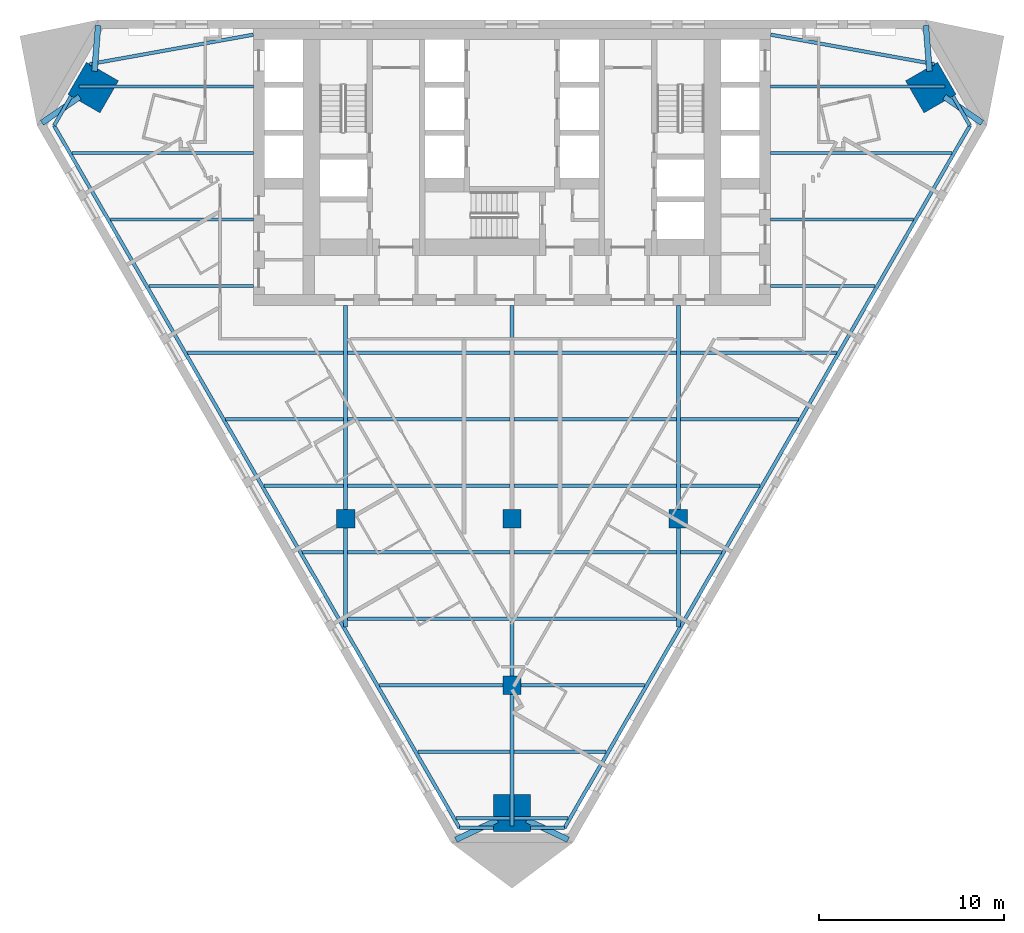
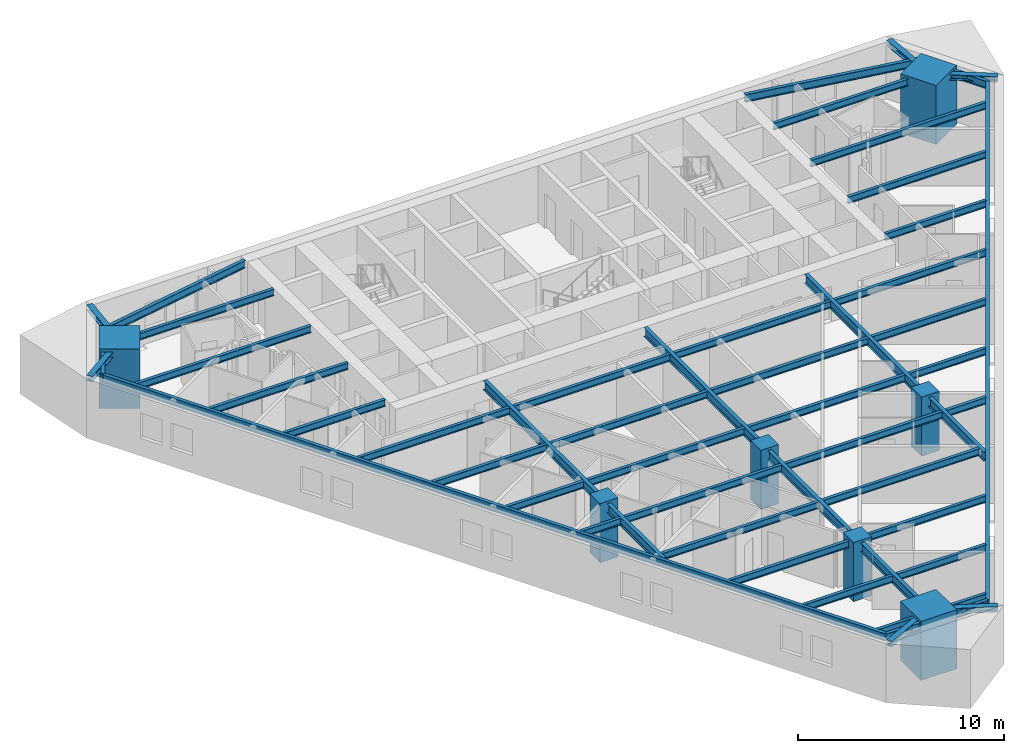
# One storey, part 1 of 10: 53 beams, 7 columns.
"""IFC4 building model written with IfcOpenShell, lengths in metres."""

from ifc_helpers import new_model, si_unit, direction, frame, origin, origin_2d, place, context, subcontext, project, spatial, rectangle, i_section, extrude, material, material_profile, profile_set, type_object, element, save


model = new_model("IFC4")

# Units and contexts
model_context = context("Model", 3, precision=1e-05, world=origin(), true_north=direction((0.0, 1.0)))
body_context = subcontext(model_context, "Body", "Model", "MODEL_VIEW")
ifc_project = project(units=[si_unit("LENGTHUNIT", "METRE"), si_unit("AREAUNIT", "SQUARE_METRE"), si_unit("VOLUMEUNIT", "CUBIC_METRE"), si_unit("PLANEANGLEUNIT", "RADIAN"), si_unit("MASSUNIT", "GRAM", prefix="KILO")], contexts=[model_context])

# Site, building, storey
site_placement = place(None, origin())
site = spatial("IfcSite", under=ifc_project, at=site_placement, CompositionType="ELEMENT")
building_placement = place(site_placement, origin())
building = spatial("IfcBuilding", under=site, at=building_placement, Name="Aloe Facet Convention Tower", CompositionType="ELEMENT")
storey_placement = place(building_placement, frame((0.0, 0.0, 59.5)))
storey = spatial("IfcBuildingStorey", under=building, at=storey_placement, Name="L13", CompositionType="ELEMENT", Elevation=59.5)

# Columns
ifc_material_1 = material(Name="Concrete C70/85", Category="concrete")
ifc_material_profile_1 = material_profile(ifc_material_1, rectangle(XDim=1.0, YDim=1.0, at=origin_2d()), Name="SF-GC-Z1")
ifc_profile_set_1 = profile_set([ifc_material_profile_1], Name="Concrete C70/85")
column_type_1 = type_object("IfcColumnType", Name="SF-GC-Z1", PredefinedType="COLUMN", material=ifc_profile_set_1)
for number, where, z_axis, x_axis, name in (
    (1, (71.0, 108.0, 0.0), (0.0, 0.0, 1.0), (1.0, 0.0, 0.0), "Gravity column GC-Z1-8D"),
    (2, (80.0, 99.0, 0.0), (0.0, 0.0, 1.0), (1.0, 0.0, 0.0), "Gravity column GC-Z1-9E"),
    (3, (80.0, 108.0, 0.0), (0.0, 0.0, 1.0), (1.0, 0.0, 0.0), "Gravity column GC-Z1-9D"),
    (4, (89.0, 108.0, 0.0), (0.0, 0.0, 1.0), (1.0, 0.0, 0.0), "Gravity column GC-Z1-10D"),
):
    element("IfcColumn", number, at=place(storey_placement, frame(where, z_axis=z_axis, x_axis=x_axis)), inside=storey, type_object=column_type_1, Name=name, PredefinedType="COLUMN", context=body_context, shape_type="SweptSolid", body=[
        extrude(rectangle(XDim=1.0, YDim=1.0, at=origin_2d()), origin(), (0.0, 0.0, 1.0), 3.5),
    ])
ifc_material_2 = material(Name="Concrete C80/95", Category="concrete")
ifc_material_profile_2 = material_profile(ifc_material_2, rectangle(XDim=2.0, YDim=2.0, at=origin_2d()), Name="STW-MC-Z1")
ifc_profile_set_2 = profile_set([ifc_material_profile_2], Name="Concrete C80/95")
column_type_2 = type_object("IfcColumnType", Name="STW-MC-Z1", PredefinedType="COLUMN", material=ifc_profile_set_2)
for number, where, z_axis, x_axis, name in (
    (5, (102.664306640625, 131.342041015625, 0.0), (0.0, 0.0, 1.0), (-0.5, 0.866025403784, 0.0), "Mega-column MC-NE-L13"),
    (6, (57.335693359375, 131.342041015625, 0.0), (0.0, 0.0, 1.0), (-0.5, -0.866025403784, 0.0), "Mega-column MC-NW-L13"),
    (7, (80.0, 92.086181640625, 0.0), (0.0, 0.0, 1.0), (1.0, 0.0, 0.0), "Mega-column MC-S-L13"),
):
    element("IfcColumn", number, at=place(storey_placement, frame(where, z_axis=z_axis, x_axis=x_axis)), inside=storey, type_object=column_type_2, Name=name, PredefinedType="COLUMN", context=body_context, shape_type="SweptSolid", body=[
        extrude(rectangle(XDim=2.0, YDim=2.0, at=origin_2d()), origin(), (0.0, 0.0, 1.0), 3.5),
    ])

# Beams
ifc_material_3 = material(Name="Steel S355", Category="steel")
ifc_material_profile_3 = material_profile(ifc_material_3, i_section(OverallWidth=0.177734375, OverallDepth=0.402587890625, WebThickness=0.0078125, FlangeThickness=0.010986328125, FilletRadius=0.01025390625, at=origin_2d()), Name="UB 406x178x54")
ifc_profile_set_3 = profile_set([ifc_material_profile_3], Name="Steel S355")
beam_type_1 = type_object("IfcBeamType", Name="SF-B-UB406x178x54", PredefinedType="BEAM", material=ifc_profile_set_3)
beam_1_placement = place(storey_placement, frame((56.194580078125, 127.800048828125, 3.148681640625), z_axis=(1.0, 0.0, 0.0), x_axis=(0.0, 1.0, 0.0)))
element("IfcBeam", 8, at=beam_1_placement, inside=storey, type_object=beam_type_1, Name="Floor beam FB-Z1B-016", PredefinedType="BEAM", context=body_context, shape_type="SweptSolid", body=[
    extrude(i_section(OverallWidth=0.177734375, OverallDepth=0.402587890625, WebThickness=0.0078125, FlangeThickness=0.010986328125, FilletRadius=0.01025390625, at=origin_2d()), origin(), (0.0, 0.0, 1.0), 9.805419921875),
])
beam_2_placement = place(storey_placement, frame((56.55908203125, 131.39990234375, 3.148681640625), z_axis=(1.0, 0.0, 0.0), x_axis=(0.0, 1.0, 0.0)))
element("IfcBeam", 9, at=beam_2_placement, inside=storey, type_object=beam_type_1, Name="Floor beam FB-Z1B-017", PredefinedType="BEAM", context=body_context, shape_type="SweptSolid", body=[
    extrude(i_section(OverallWidth=0.177734375, OverallDepth=0.402587890625, WebThickness=0.0078125, FlangeThickness=0.010986328125, FilletRadius=0.01025390625, at=origin_2d()), origin(), (0.0, 0.0, 1.0), 9.44091796875),
])
beam_3_placement = place(storey_placement, frame((58.27294921875, 124.199951171875, 3.148681640625), z_axis=(1.0, 0.0, 0.0), x_axis=(0.0, 1.0, 0.0)))
element("IfcBeam", 10, at=beam_3_placement, inside=storey, type_object=beam_type_1, Name="Floor beam FB-Z1B-018", PredefinedType="BEAM", context=body_context, shape_type="SweptSolid", body=[
    extrude(i_section(OverallWidth=0.177734375, OverallDepth=0.402587890625, WebThickness=0.0078125, FlangeThickness=0.010986328125, FilletRadius=0.01025390625, at=origin_2d()), origin(), (0.0, 0.0, 1.0), 7.72705078125),
])
beam_4_placement = place(storey_placement, frame((60.351318359375, 120.60009765625, 3.148681640625), z_axis=(1.0, 0.0, 0.0), x_axis=(0.0, 1.0, 0.0)))
element("IfcBeam", 11, at=beam_4_placement, inside=storey, type_object=beam_type_1, Name="Floor beam FB-Z1B-019", PredefinedType="BEAM", context=body_context, shape_type="SweptSolid", body=[
    extrude(i_section(OverallWidth=0.177734375, OverallDepth=0.402587890625, WebThickness=0.0078125, FlangeThickness=0.010986328125, FilletRadius=0.01025390625, at=origin_2d()), origin(), (0.0, 0.0, 1.0), 5.648681640625),
])
beam_5_placement = place(storey_placement, frame((62.429931640625, 117.0, 3.148681640625), z_axis=(1.0, 0.0, 0.0), x_axis=(0.0, 1.0, 0.0)))
element("IfcBeam", 12, at=beam_5_placement, inside=storey, type_object=beam_type_1, Name="Floor beam FB-Z1B-020", PredefinedType="BEAM", context=body_context, shape_type="SweptSolid", body=[
    extrude(i_section(OverallWidth=0.177734375, OverallDepth=0.402587890625, WebThickness=0.0078125, FlangeThickness=0.010986328125, FilletRadius=0.01025390625, at=origin_2d()), origin(), (0.0, 0.0, 1.0), 8.464599609375),
])
beam_6_placement = place(storey_placement, frame((64.50830078125, 113.39990234375, 3.148681640625), z_axis=(1.0, 0.0, 0.0), x_axis=(0.0, 1.0, 0.0)))
element("IfcBeam", 13, at=beam_6_placement, inside=storey, type_object=beam_type_1, Name="Floor beam FB-Z1B-021", PredefinedType="BEAM", context=body_context, shape_type="SweptSolid", body=[
    extrude(i_section(OverallWidth=0.177734375, OverallDepth=0.402587890625, WebThickness=0.0078125, FlangeThickness=0.010986328125, FilletRadius=0.01025390625, at=origin_2d()), origin(), (0.0, 0.0, 1.0), 6.38623046875),
])
beam_7_placement = place(storey_placement, frame((66.5869140625, 109.800048828125, 3.148681640625), z_axis=(1.0, 0.0, 0.0), x_axis=(0.0, 1.0, 0.0)))
element("IfcBeam", 14, at=beam_7_placement, inside=storey, type_object=beam_type_1, Name="Floor beam FB-Z1B-022", PredefinedType="BEAM", context=body_context, shape_type="SweptSolid", body=[
    extrude(i_section(OverallWidth=0.177734375, OverallDepth=0.402587890625, WebThickness=0.0078125, FlangeThickness=0.010986328125, FilletRadius=0.01025390625, at=origin_2d()), origin(), (0.0, 0.0, 1.0), 4.3076171875),
])
beam_8_placement = place(storey_placement, frame((68.665283203125, 106.199951171875, 3.148681640625), z_axis=(1.0, 0.0, 0.0), x_axis=(0.0, 1.0, 0.0)))
element("IfcBeam", 15, at=beam_8_placement, inside=storey, type_object=beam_type_1, Name="Floor beam FB-Z1B-023", PredefinedType="BEAM", context=body_context, shape_type="SweptSolid", body=[
    extrude(i_section(OverallWidth=0.177734375, OverallDepth=0.402587890625, WebThickness=0.0078125, FlangeThickness=0.010986328125, FilletRadius=0.01025390625, at=origin_2d()), origin(), (0.0, 0.0, 1.0), 2.229248046875),
])
for number, where, z_axis, x_axis, name in (
    (16, (71.10546875, 102.60009765625, 3.148681640625), (1.0, 0.0, 0.0), (0.0, 1.0, 0.0), "Floor beam FB-Z1B-024"),
    (17, (71.10546875, 106.199951171875, 3.148681640625), (1.0, 0.0, 0.0), (0.0, 1.0, 0.0), "Floor beam FB-Z1B-025"),
    (18, (71.10546875, 109.800048828125, 3.148681640625), (1.0, 0.0, 0.0), (0.0, 1.0, 0.0), "Floor beam FB-Z1B-026"),
    (19, (71.10546875, 113.39990234375, 3.148681640625), (1.0, 0.0, 0.0), (0.0, 1.0, 0.0), "Floor beam FB-Z1B-027"),
    (20, (71.10546875, 117.0, 3.148681640625), (1.0, 0.0, 0.0), (0.0, 1.0, 0.0), "Floor beam FB-Z1B-028"),
):
    element("IfcBeam", number, at=place(storey_placement, frame(where, z_axis=z_axis, x_axis=x_axis)), inside=storey, type_object=beam_type_1, Name=name, PredefinedType="BEAM", context=body_context, shape_type="SweptSolid", body=[
        extrude(i_section(OverallWidth=0.177734375, OverallDepth=0.402587890625, WebThickness=0.0078125, FlangeThickness=0.010986328125, FilletRadius=0.01025390625, at=origin_2d()), origin(), (0.0, 0.0, 1.0), 8.7890625),
    ])
beam_9_placement = place(storey_placement, frame((72.822265625, 99.0, 3.148681640625), z_axis=(1.0, 0.0, 0.0), x_axis=(0.0, 1.0, 0.0)))
element("IfcBeam", 21, at=beam_9_placement, inside=storey, type_object=beam_type_1, Name="Floor beam FB-Z1B-029", PredefinedType="BEAM", context=body_context, shape_type="SweptSolid", body=[
    extrude(i_section(OverallWidth=0.177734375, OverallDepth=0.402587890625, WebThickness=0.0078125, FlangeThickness=0.010986328125, FilletRadius=0.01025390625, at=origin_2d()), origin(), (0.0, 0.0, 1.0), 6.677734375),
])
beam_10_placement = place(storey_placement, frame((74.900634765625, 95.39990234375, 3.148681640625), z_axis=(1.0, 0.0, 0.0), x_axis=(0.0, 1.0, 0.0)))
element("IfcBeam", 22, at=beam_10_placement, inside=storey, type_object=beam_type_1, Name="Floor beam FB-Z1B-030", PredefinedType="BEAM", context=body_context, shape_type="SweptSolid", body=[
    extrude(i_section(OverallWidth=0.177734375, OverallDepth=0.402587890625, WebThickness=0.0078125, FlangeThickness=0.010986328125, FilletRadius=0.01025390625, at=origin_2d()), origin(), (0.0, 0.0, 1.0), 4.993896484375),
])
for number, where, z_axis, x_axis, name in (
    (23, (76.97900390625, 91.800048828125, 3.148681640625), (1.0, 0.0, 0.0), (0.0, 1.0, 0.0), "Floor beam FB-Z1B-031"),
    (24, (80.10546875, 91.800048828125, 3.148681640625), (1.0, 0.0, 0.0), (0.0, 1.0, 0.0), "Floor beam FB-Z1B-032"),
):
    element("IfcBeam", number, at=place(storey_placement, frame(where, z_axis=z_axis, x_axis=x_axis)), inside=storey, type_object=beam_type_1, Name=name, PredefinedType="BEAM", context=body_context, shape_type="SweptSolid", body=[
        extrude(i_section(OverallWidth=0.177734375, OverallDepth=0.402587890625, WebThickness=0.0078125, FlangeThickness=0.010986328125, FilletRadius=0.01025390625, at=origin_2d()), origin(), (0.0, 0.0, 1.0), 2.91552734375),
    ])
beam_11_placement = place(storey_placement, frame((80.10546875, 95.39990234375, 3.148681640625), z_axis=(1.0, 0.0, 0.0), x_axis=(0.0, 1.0, 0.0)))
element("IfcBeam", 25, at=beam_11_placement, inside=storey, type_object=beam_type_1, Name="Floor beam FB-Z1B-033", PredefinedType="BEAM", context=body_context, shape_type="SweptSolid", body=[
    extrude(i_section(OverallWidth=0.177734375, OverallDepth=0.402587890625, WebThickness=0.0078125, FlangeThickness=0.010986328125, FilletRadius=0.01025390625, at=origin_2d()), origin(), (0.0, 0.0, 1.0), 4.993896484375),
])
for number, where, z_axis, x_axis, name in (
    (26, (80.10546875, 102.60009765625, 3.148681640625), (1.0, 0.0, 0.0), (0.0, 1.0, 0.0), "Floor beam FB-Z1B-034"),
    (27, (80.10546875, 106.199951171875, 3.148681640625), (1.0, 0.0, 0.0), (0.0, 1.0, 0.0), "Floor beam FB-Z1B-035"),
    (28, (80.10546875, 109.800048828125, 3.148681640625), (1.0, 0.0, 0.0), (0.0, 1.0, 0.0), "Floor beam FB-Z1B-036"),
    (29, (80.10546875, 113.39990234375, 3.148681640625), (1.0, 0.0, 0.0), (0.0, 1.0, 0.0), "Floor beam FB-Z1B-037"),
    (30, (80.10546875, 117.0, 3.148681640625), (1.0, 0.0, 0.0), (0.0, 1.0, 0.0), "Floor beam FB-Z1B-038"),
):
    element("IfcBeam", number, at=place(storey_placement, frame(where, z_axis=z_axis, x_axis=x_axis)), inside=storey, type_object=beam_type_1, Name=name, PredefinedType="BEAM", context=body_context, shape_type="SweptSolid", body=[
        extrude(i_section(OverallWidth=0.177734375, OverallDepth=0.402587890625, WebThickness=0.0078125, FlangeThickness=0.010986328125, FilletRadius=0.01025390625, at=origin_2d()), origin(), (0.0, 0.0, 1.0), 8.7890625),
    ])
beam_12_placement = place(storey_placement, frame((80.5, 99.0, 3.148681640625), z_axis=(1.0, 0.0, 0.0), x_axis=(0.0, 1.0, 0.0)))
element("IfcBeam", 31, at=beam_12_placement, inside=storey, type_object=beam_type_1, Name="Floor beam FB-Z1B-039", PredefinedType="BEAM", context=body_context, shape_type="SweptSolid", body=[
    extrude(i_section(OverallWidth=0.177734375, OverallDepth=0.402587890625, WebThickness=0.0078125, FlangeThickness=0.010986328125, FilletRadius=0.01025390625, at=origin_2d()), origin(), (0.0, 0.0, 1.0), 6.677734375),
])
beam_13_placement = place(storey_placement, frame((89.10546875, 106.199951171875, 3.148681640625), z_axis=(1.0, 0.0, 0.0), x_axis=(0.0, 1.0, 0.0)))
element("IfcBeam", 32, at=beam_13_placement, inside=storey, type_object=beam_type_1, Name="Floor beam FB-Z1B-040", PredefinedType="BEAM", context=body_context, shape_type="SweptSolid", body=[
    extrude(i_section(OverallWidth=0.177734375, OverallDepth=0.402587890625, WebThickness=0.0078125, FlangeThickness=0.010986328125, FilletRadius=0.01025390625, at=origin_2d()), origin(), (0.0, 0.0, 1.0), 2.229248046875),
])
beam_14_placement = place(storey_placement, frame((89.10546875, 109.800048828125, 3.148681640625), z_axis=(1.0, 0.0, 0.0), x_axis=(0.0, 1.0, 0.0)))
element("IfcBeam", 33, at=beam_14_placement, inside=storey, type_object=beam_type_1, Name="Floor beam FB-Z1B-041", PredefinedType="BEAM", context=body_context, shape_type="SweptSolid", body=[
    extrude(i_section(OverallWidth=0.177734375, OverallDepth=0.402587890625, WebThickness=0.0078125, FlangeThickness=0.010986328125, FilletRadius=0.01025390625, at=origin_2d()), origin(), (0.0, 0.0, 1.0), 4.3076171875),
])
beam_15_placement = place(storey_placement, frame((89.10546875, 113.39990234375, 3.148681640625), z_axis=(1.0, 0.0, 0.0), x_axis=(0.0, 1.0, 0.0)))
element("IfcBeam", 34, at=beam_15_placement, inside=storey, type_object=beam_type_1, Name="Floor beam FB-Z1B-042", PredefinedType="BEAM", context=body_context, shape_type="SweptSolid", body=[
    extrude(i_section(OverallWidth=0.177734375, OverallDepth=0.402587890625, WebThickness=0.0078125, FlangeThickness=0.010986328125, FilletRadius=0.01025390625, at=origin_2d()), origin(), (0.0, 0.0, 1.0), 6.38623046875),
])
beam_16_placement = place(storey_placement, frame((89.10546875, 117.0, 3.148681640625), z_axis=(1.0, 0.0, 0.0), x_axis=(0.0, 1.0, 0.0)))
element("IfcBeam", 35, at=beam_16_placement, inside=storey, type_object=beam_type_1, Name="Floor beam FB-Z1B-043", PredefinedType="BEAM", context=body_context, shape_type="SweptSolid", body=[
    extrude(i_section(OverallWidth=0.177734375, OverallDepth=0.402587890625, WebThickness=0.0078125, FlangeThickness=0.010986328125, FilletRadius=0.01025390625, at=origin_2d()), origin(), (0.0, 0.0, 1.0), 8.464599609375),
])
beam_17_placement = place(storey_placement, frame((94.0, 120.60009765625, 3.148681640625), z_axis=(1.0, 0.0, 0.0), x_axis=(0.0, 1.0, 0.0)))
element("IfcBeam", 36, at=beam_17_placement, inside=storey, type_object=beam_type_1, Name="Floor beam FB-Z1B-044", PredefinedType="BEAM", context=body_context, shape_type="SweptSolid", body=[
    extrude(i_section(OverallWidth=0.177734375, OverallDepth=0.402587890625, WebThickness=0.0078125, FlangeThickness=0.010986328125, FilletRadius=0.01025390625, at=origin_2d()), origin(), (0.0, 0.0, 1.0), 5.648681640625),
])
beam_18_placement = place(storey_placement, frame((94.0, 124.199951171875, 3.148681640625), z_axis=(1.0, 0.0, 0.0), x_axis=(0.0, 1.0, 0.0)))
element("IfcBeam", 37, at=beam_18_placement, inside=storey, type_object=beam_type_1, Name="Floor beam FB-Z1B-045", PredefinedType="BEAM", context=body_context, shape_type="SweptSolid", body=[
    extrude(i_section(OverallWidth=0.177734375, OverallDepth=0.402587890625, WebThickness=0.0078125, FlangeThickness=0.010986328125, FilletRadius=0.01025390625, at=origin_2d()), origin(), (0.0, 0.0, 1.0), 7.72705078125),
])
beam_19_placement = place(storey_placement, frame((94.0, 127.800048828125, 3.148681640625), z_axis=(1.0, 0.0, 0.0), x_axis=(0.0, 1.0, 0.0)))
element("IfcBeam", 38, at=beam_19_placement, inside=storey, type_object=beam_type_1, Name="Floor beam FB-Z1B-046", PredefinedType="BEAM", context=body_context, shape_type="SweptSolid", body=[
    extrude(i_section(OverallWidth=0.177734375, OverallDepth=0.402587890625, WebThickness=0.0078125, FlangeThickness=0.010986328125, FilletRadius=0.01025390625, at=origin_2d()), origin(), (0.0, 0.0, 1.0), 9.805419921875),
])
beam_20_placement = place(storey_placement, frame((94.0, 131.39990234375, 3.148681640625), z_axis=(1.0, 0.0, 0.0), x_axis=(0.0, 1.0, 0.0)))
element("IfcBeam", 39, at=beam_20_placement, inside=storey, type_object=beam_type_1, Name="Floor beam FB-Z1B-047", PredefinedType="BEAM", context=body_context, shape_type="SweptSolid", body=[
    extrude(i_section(OverallWidth=0.177734375, OverallDepth=0.402587890625, WebThickness=0.0078125, FlangeThickness=0.010986328125, FilletRadius=0.01025390625, at=origin_2d()), origin(), (0.0, 0.0, 1.0), 9.44091796875),
])
ifc_material_4 = material(Name="Steel S355", Category="steel")
ifc_material_profile_4 = material_profile(ifc_material_4, i_section(OverallWidth=0.18994140625, OverallDepth=0.453369140625, WebThickness=0.008544921875, FlangeThickness=0.0126953125, FilletRadius=0.01025390625, at=origin_2d()), Name="UB 457x191x67")
ifc_profile_set_4 = profile_set([ifc_material_profile_4], Name="Steel S355")
beam_type_2 = type_object("IfcBeamType", Name="SF-B-UB457x191x67", PredefinedType="BEAM", material=ifc_profile_set_4)
beam_21_placement = place(storey_placement, frame((55.218017578125, 129.2841796875, 3.123291015625), z_axis=(0.499932904579, 0.866064137879, 0.0), x_axis=(-0.866064137879, 0.499932904579, 0.0)))
element("IfcBeam", 40, at=beam_21_placement, inside=storey, type_object=beam_type_2, Name="Floor beam FB-Z1B-001", PredefinedType="BEAM", context=body_context, shape_type="SweptSolid", body=[
    extrude(i_section(OverallWidth=0.18994140625, OverallDepth=0.453369140625, WebThickness=0.008544921875, FlangeThickness=0.0126953125, FilletRadius=0.01025390625, at=origin_2d()), origin(), (0.0, 0.0, 1.0), 1.841064453125),
])
beam_22_placement = place(storey_placement, frame((57.138427734375, 132.610595703125, 3.123291015625), z_axis=(0.984194951593, 0.177088388265, 0.0), x_axis=(-0.177088388265, 0.984194951593, 0.0)))
element("IfcBeam", 41, at=beam_22_placement, inside=storey, type_object=beam_type_2, Name="Floor beam FB-Z1B-002", PredefinedType="BEAM", context=body_context, shape_type="SweptSolid", body=[
    extrude(i_section(OverallWidth=0.18994140625, OverallDepth=0.453369140625, WebThickness=0.008544921875, FlangeThickness=0.0126953125, FilletRadius=0.01025390625, at=origin_2d()), origin(), (0.0, 0.0, 1.0), 9.00390625),
])
beam_23_placement = place(storey_placement, frame((77.158935546875, 91.28125, 3.123291015625), z_axis=(-0.499998569178, 0.866026229868, 0.0), x_axis=(-0.866026229868, -0.499998569178, 0.0)))
element("IfcBeam", 42, at=beam_23_placement, inside=storey, type_object=beam_type_2, Name="Floor beam FB-Z1B-003", PredefinedType="BEAM", context=body_context, shape_type="SweptSolid", body=[
    extrude(i_section(OverallWidth=0.18994140625, OverallDepth=0.453369140625, WebThickness=0.008544921875, FlangeThickness=0.0126953125, FilletRadius=0.01025390625, at=origin_2d()), origin(), (0.0, 0.0, 1.0), 43.882080078125),
])
for number, where, z_axis, x_axis, name in (
    (43, (79.0, 91.28125, 3.123291015625), (-1.0, 0.0, 0.0), (0.0, -1.0, 0.0), "Floor beam FB-Z1B-004"),
    (44, (82.841064453125, 91.28125, 3.123291015625), (-1.0, 0.0, 0.0), (0.0, -1.0, 0.0), "Floor beam FB-Z1B-005"),
):
    element("IfcBeam", number, at=place(storey_placement, frame(where, z_axis=z_axis, x_axis=x_axis)), inside=storey, type_object=beam_type_2, Name=name, PredefinedType="BEAM", context=body_context, shape_type="SweptSolid", body=[
        extrude(i_section(OverallWidth=0.18994140625, OverallDepth=0.453369140625, WebThickness=0.008544921875, FlangeThickness=0.0126953125, FilletRadius=0.01025390625, at=origin_2d()), origin(), (0.0, 0.0, 1.0), 1.841064453125),
    ])
beam_24_placement = place(storey_placement, frame((102.861572265625, 132.610595703125, 3.123291015625), z_axis=(-0.984194951593, 0.177088388265, 0.0), x_axis=(-0.177088388265, -0.984194951593, 0.0)))
element("IfcBeam", 45, at=beam_24_placement, inside=storey, type_object=beam_type_2, Name="Floor beam FB-Z1B-006", PredefinedType="BEAM", context=body_context, shape_type="SweptSolid", body=[
    extrude(i_section(OverallWidth=0.18994140625, OverallDepth=0.453369140625, WebThickness=0.008544921875, FlangeThickness=0.0126953125, FilletRadius=0.01025390625, at=origin_2d()), origin(), (0.0, 0.0, 1.0), 9.00390625),
])
beam_25_placement = place(storey_placement, frame((103.861572265625, 130.878662109375, 3.123291015625), z_axis=(0.499932904579, -0.866064137879, 0.0), x_axis=(0.866064137879, 0.499932904579, 0.0)))
element("IfcBeam", 46, at=beam_25_placement, inside=storey, type_object=beam_type_2, Name="Floor beam FB-Z1B-007", PredefinedType="BEAM", context=body_context, shape_type="SweptSolid", body=[
    extrude(i_section(OverallWidth=0.18994140625, OverallDepth=0.453369140625, WebThickness=0.008544921875, FlangeThickness=0.0126953125, FilletRadius=0.01025390625, at=origin_2d()), origin(), (0.0, 0.0, 1.0), 1.841064453125),
])
beam_26_placement = place(storey_placement, frame((104.781982421875, 129.2841796875, 3.123291015625), z_axis=(-0.499998569178, -0.866026229868, 0.0), x_axis=(0.866026229868, -0.499998569178, 0.0)))
element("IfcBeam", 47, at=beam_26_placement, inside=storey, type_object=beam_type_2, Name="Floor beam FB-Z1B-008", PredefinedType="BEAM", context=body_context, shape_type="SweptSolid", body=[
    extrude(i_section(OverallWidth=0.18994140625, OverallDepth=0.453369140625, WebThickness=0.008544921875, FlangeThickness=0.0126953125, FilletRadius=0.01025390625, at=origin_2d()), origin(), (0.0, 0.0, 1.0), 43.882080078125),
])
ifc_material_5 = material(Name="Steel S355", Category="steel")
ifc_material_profile_5 = material_profile(ifc_material_5, i_section(OverallWidth=0.210693359375, OverallDepth=0.53955078125, WebThickness=0.01171875, FlangeThickness=0.018798828125, FilletRadius=0.0126953125, at=origin_2d()), Name="UB 533x210x109")
ifc_profile_set_5 = profile_set([ifc_material_profile_5], Name="Steel S355")
beam_type_3 = type_object("IfcBeamType", Name="SF-B-UB533x210x109", PredefinedType="BEAM", material=ifc_profile_set_5)
beam_27_placement = place(storey_placement, frame((71.0, 107.5, 3.080078125), z_axis=(0.0, -1.0, 0.0), x_axis=(1.0, 0.0, 0.0)))
element("IfcBeam", 48, at=beam_27_placement, inside=storey, type_object=beam_type_3, Name="Floor beam FB-Z1B-009", PredefinedType="BEAM", context=body_context, shape_type="SweptSolid", body=[
    extrude(i_section(OverallWidth=0.210693359375, OverallDepth=0.53955078125, WebThickness=0.01171875, FlangeThickness=0.018798828125, FilletRadius=0.0126953125, at=origin_2d()), origin(), (0.0, 0.0, 1.0), 5.351318359375),
])
beam_28_placement = place(storey_placement, frame((71.0, 119.550048828125, 3.080078125), z_axis=(0.0, -1.0, 0.0), x_axis=(1.0, 0.0, 0.0)))
element("IfcBeam", 49, at=beam_28_placement, inside=storey, type_object=beam_type_3, Name="Floor beam FB-Z1B-010", PredefinedType="BEAM", context=body_context, shape_type="SweptSolid", body=[
    extrude(i_section(OverallWidth=0.210693359375, OverallDepth=0.53955078125, WebThickness=0.01171875, FlangeThickness=0.018798828125, FilletRadius=0.0126953125, at=origin_2d()), origin(), (0.0, 0.0, 1.0), 11.050048828125),
])
beam_29_placement = place(storey_placement, frame((80.0, 98.5, 3.080078125), z_axis=(0.0, -1.0, 0.0), x_axis=(1.0, 0.0, 0.0)))
element("IfcBeam", 50, at=beam_29_placement, inside=storey, type_object=beam_type_3, Name="Floor beam FB-Z1B-011", PredefinedType="BEAM", context=body_context, shape_type="SweptSolid", body=[
    extrude(i_section(OverallWidth=0.210693359375, OverallDepth=0.53955078125, WebThickness=0.01171875, FlangeThickness=0.018798828125, FilletRadius=0.0126953125, at=origin_2d()), origin(), (0.0, 0.0, 1.0), 7.11376953125),
])
beam_30_placement = place(storey_placement, frame((80.0, 107.5, 3.080078125), z_axis=(0.0, -1.0, 0.0), x_axis=(1.0, 0.0, 0.0)))
element("IfcBeam", 51, at=beam_30_placement, inside=storey, type_object=beam_type_3, Name="Floor beam FB-Z1B-012", PredefinedType="BEAM", context=body_context, shape_type="SweptSolid", body=[
    extrude(i_section(OverallWidth=0.210693359375, OverallDepth=0.53955078125, WebThickness=0.01171875, FlangeThickness=0.018798828125, FilletRadius=0.0126953125, at=origin_2d()), origin(), (0.0, 0.0, 1.0), 8.0),
])
beam_31_placement = place(storey_placement, frame((80.0, 119.550048828125, 3.080078125), z_axis=(0.0, -1.0, 0.0), x_axis=(1.0, 0.0, 0.0)))
element("IfcBeam", 52, at=beam_31_placement, inside=storey, type_object=beam_type_3, Name="Floor beam FB-Z1B-013", PredefinedType="BEAM", context=body_context, shape_type="SweptSolid", body=[
    extrude(i_section(OverallWidth=0.210693359375, OverallDepth=0.53955078125, WebThickness=0.01171875, FlangeThickness=0.018798828125, FilletRadius=0.0126953125, at=origin_2d()), origin(), (0.0, 0.0, 1.0), 11.050048828125),
])
beam_32_placement = place(storey_placement, frame((89.0, 107.5, 3.080078125), z_axis=(0.0, -1.0, 0.0), x_axis=(1.0, 0.0, 0.0)))
element("IfcBeam", 53, at=beam_32_placement, inside=storey, type_object=beam_type_3, Name="Floor beam FB-Z1B-014", PredefinedType="BEAM", context=body_context, shape_type="SweptSolid", body=[
    extrude(i_section(OverallWidth=0.210693359375, OverallDepth=0.53955078125, WebThickness=0.01171875, FlangeThickness=0.018798828125, FilletRadius=0.0126953125, at=origin_2d()), origin(), (0.0, 0.0, 1.0), 5.351318359375),
])
beam_33_placement = place(storey_placement, frame((89.0, 119.550048828125, 3.080078125), z_axis=(0.0, -1.0, 0.0), x_axis=(1.0, 0.0, 0.0)))
element("IfcBeam", 54, at=beam_33_placement, inside=storey, type_object=beam_type_3, Name="Floor beam FB-Z1B-015", PredefinedType="BEAM", context=body_context, shape_type="SweptSolid", body=[
    extrude(i_section(OverallWidth=0.210693359375, OverallDepth=0.53955078125, WebThickness=0.01171875, FlangeThickness=0.018798828125, FilletRadius=0.0126953125, at=origin_2d()), origin(), (0.0, 0.0, 1.0), 11.050048828125),
])
ifc_material_6 = material(Name="Steel S355", Category="steel")
ifc_material_profile_6 = material_profile(ifc_material_6, i_section(OverallWidth=0.311279296875, OverallDepth=0.3271484375, WebThickness=0.015869140625, FlangeThickness=0.02490234375, FilletRadius=0.01513671875, at=origin_2d()), Name="UC 305x305x158")
ifc_profile_set_6 = profile_set([ifc_material_profile_6], Name="Steel S355")
beam_type_4 = type_object("IfcBeamType", Name="STW-NT", PredefinedType="BEAM", material=ifc_profile_set_6)
for number, where, z_axis, x_axis, name in (
    (55, (102.39990234375, 134.699951171875, 3.1865234375), (0.078501810629, -0.996913971077, 0.0), (0.996913971077, 0.078501810629, 0.0), "Lattice tie NT-Z1-F1-R4-01"),
    (56, (57.60009765625, 134.699951171875, 3.1865234375), (-0.078501810629, -0.996913971077, 0.0), (0.996913971077, -0.078501810629, 0.0), "Lattice tie NT-Z1-F1-R4-06"),
):
    element("IfcBeam", number, at=place(storey_placement, frame(where, z_axis=z_axis, x_axis=x_axis)), inside=storey, type_object=beam_type_4, Name=name, PredefinedType="BEAM", context=body_context, shape_type="SweptSolid", body=[
        extrude(i_section(OverallWidth=0.311279296875, OverallDepth=0.3271484375, WebThickness=0.015869140625, FlangeThickness=0.02490234375, FilletRadius=0.01513671875, at=origin_2d()), origin(), (0.0, 0.0, 1.0), 2.481689453125),
    ])
for number, where, z_axis, x_axis, name in (
    (57, (54.559814453125, 129.434326171875, 3.1865234375), (0.824128019393, 0.566403573128, 0.0), (-0.566403573128, 0.824128019393, 0.0), "Lattice tie NT-Z1-F2-R4-01"),
    (58, (76.959716796875, 90.63623046875, 3.1865234375), (0.902574868397, 0.430532933628, 0.0), (-0.430532933628, 0.902574868397, 0.0), "Lattice tie NT-Z1-F2-R4-06"),
    (59, (83.040283203125, 90.63623046875, 3.1865234375), (-0.902574868397, 0.430532933628, 0.0), (-0.430532933628, -0.902574868397, 0.0), "Lattice tie NT-Z1-F3-R4-01"),
    (60, (105.440185546875, 129.434326171875, 3.1865234375), (-0.824128019393, 0.566403573128, 0.0), (-0.566403573128, -0.824128019393, 0.0), "Lattice tie NT-Z1-F3-R4-06"),
):
    element("IfcBeam", number, at=place(storey_placement, frame(where, z_axis=z_axis, x_axis=x_axis)), inside=storey, type_object=beam_type_4, Name=name, PredefinedType="BEAM", context=body_context, shape_type="SweptSolid", body=[
        extrude(i_section(OverallWidth=0.311279296875, OverallDepth=0.3271484375, WebThickness=0.015869140625, FlangeThickness=0.02490234375, FilletRadius=0.01513671875, at=origin_2d()), origin(), (0.0, 0.0, 1.0), 2.48193359375),
    ])

save(model, "model.ifc")
